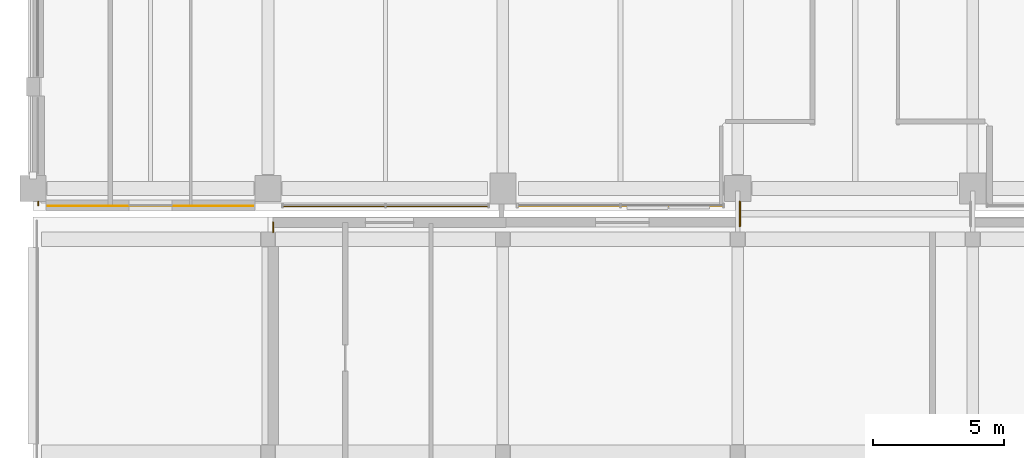
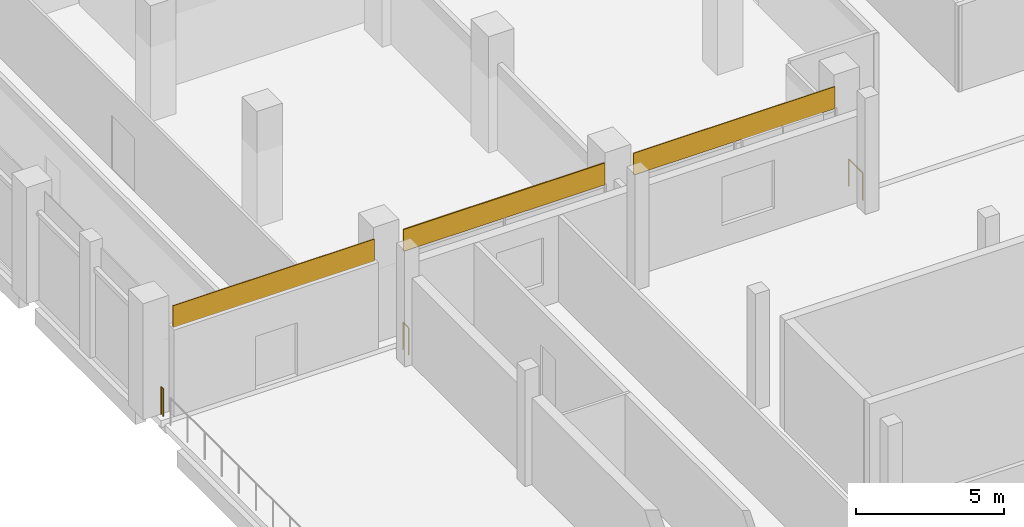
# One storey, part 90 of 111: 3 coverings, 3 railings.
"""IFC4 building model written with IfcOpenShell, lengths in metres."""

import ifcopenshell
import ifcopenshell.guid

model = None  # the IFC model being written
_history = None  # IfcOwnerHistory: only IFC2X3 demands one
_inside = {}  # id of a spatial element -> (the spatial element, [elements in it])
_under = {}  # id of a project, library or spatial element -> (it, [spatial elements below it])
_declared = {}  # id of a project -> (the project, [libraries it declares])
_typed = {}  # id of a type object -> (the type object, [elements of that type])
_made_of = {}  # id of a material, layer set ... -> (it, [elements and type objects made of it])


def new_model(schema):
    """Start an empty IFC model of exactly this schema.

    Asked for "IFC4X3", IfcOpenShell would pick the latest addendum, in which some entities
    have other attributes; the version numbers below select the first issue.
    IFC2X3 requires an IfcOwnerHistory on every rooted entity: one is made here for all.
    """
    global model, _history
    if schema == "IFC4X3":
        model = ifcopenshell.file(schema_version=(4, 3, 0, 0))
    else:
        model = ifcopenshell.file(schema=schema)
    _inside.clear()
    _under.clear()
    _declared.clear()
    _typed.clear()
    _made_of.clear()
    _history = None
    if model.schema == "IFC2X3":
        org = make("IfcOrganization", Name="unknown")
        user = make(
            "IfcPersonAndOrganization",
            ThePerson=make("IfcPerson", FamilyName="unknown"),
            TheOrganization=org,
        )
        app = make(
            "IfcApplication",
            ApplicationDeveloper=org,
            Version="unknown",
            ApplicationFullName="unknown",
            ApplicationIdentifier="unknown",
        )
        _history = make(
            "IfcOwnerHistory",
            OwningUser=user,
            OwningApplication=app,
            ChangeAction="ADDED",
            CreationDate=0,
        )
    return model


def make(cls, **values):
    """One entity of the class cls with the attributes given. An attribute that is None is left unset."""
    return model.create_entity(
        cls, **{name: value for name, value in values.items() if value is not None}
    )


def rooted(cls, **values):
    """An entity with a GlobalId (a new one), such as an element, a storey or a relation."""
    return make(cls, GlobalId=ifcopenshell.guid.new(), OwnerHistory=_history, **values)


def si_unit(unit_type, name, prefix=None):
    """IfcSIUnit, for example si_unit("LENGTHUNIT", "METRE", prefix="MILLI")."""
    return make("IfcSIUnit", UnitType=unit_type, Prefix=prefix, Name=name)


def assignment(units):
    """IfcUnitAssignment: the units of a project."""
    return None if units is None else make("IfcUnitAssignment", Units=units)


def point(xyz):
    """IfcCartesianPoint."""
    return None if xyz is None else make("IfcCartesianPoint", Coordinates=xyz)


def direction(xyz):
    """IfcDirection."""
    return None if xyz is None else make("IfcDirection", DirectionRatios=xyz)


def frame(location, z_axis=None, x_axis=None):
    """IfcAxis2Placement3D, a coordinate frame: its origin and axes. An axis left out is left unset."""
    return make(
        "IfcAxis2Placement3D",
        Location=point(location),
        Axis=direction(z_axis),
        RefDirection=direction(x_axis),
    )


def frame_2d(location, x_axis=None):
    """IfcAxis2Placement2D, a coordinate frame in the plane: its origin and x axis."""
    return make(
        "IfcAxis2Placement2D", Location=point(location), RefDirection=direction(x_axis)
    )


def origin():
    """The frame at (0, 0, 0) with its axes left unset."""
    return frame((0.0, 0.0, 0.0))


def origin_2d():
    """The frame at (0, 0) in the plane with its x axis left unset."""
    return frame_2d((0.0, 0.0))


def place(relative_to, where):
    """IfcLocalPlacement: puts the frame where relative to a parent placement (None: the world)."""
    return make(
        "IfcLocalPlacement", PlacementRelTo=relative_to, RelativePlacement=where
    )


def context(
    kind, dimensions, precision=None, world=None, true_north=None, identifier=None
):
    """IfcGeometricRepresentationContext, for example the 3D "Model" context."""
    return make(
        "IfcGeometricRepresentationContext",
        ContextIdentifier=identifier,
        ContextType=kind,
        CoordinateSpaceDimension=dimensions,
        Precision=precision,
        WorldCoordinateSystem=world,
        TrueNorth=true_north,
    )


def subcontext(parent, identifier, kind, view, scale=None):
    """IfcGeometricRepresentationSubContext, for example "Body" below "Model"."""
    return make(
        "IfcGeometricRepresentationSubContext",
        ContextIdentifier=identifier,
        ContextType=kind,
        ParentContext=parent,
        TargetScale=scale,
        TargetView=view,
    )


def project(units=None, contexts=None):
    """IfcProject with its units and contexts."""
    return rooted(
        "IfcProject",
        Name="project",
        RepresentationContexts=contexts,
        UnitsInContext=assignment(units),
    )


def spatial(cls, under=None, at=None, **own):
    """A site, building, storey or space (cls), placed at a placement, below another one or the project."""
    s = rooted(cls, ObjectPlacement=at, **own)
    if under is not None:
        _under.setdefault(under.id(), (under, []))[1].append(s)
    return s


def profile(cls, at=None, kind="AREA", **sizes):
    """A parametric profile (cls). Its sizes go by their IFC names, for example OverallWidth=200.0."""
    return make(cls, ProfileType=kind, Position=at, **sizes)


def rectangle(**sizes):
    """IfcRectangleProfileDef."""
    return profile("IfcRectangleProfileDef", **sizes)


def circle(**sizes):
    """IfcCircleProfileDef."""
    return profile("IfcCircleProfileDef", **sizes)


def extrude(swept, where, along, depth):
    """IfcExtrudedAreaSolid: the profile swept, set in the frame where, extruded along a direction by depth."""
    return make(
        "IfcExtrudedAreaSolid",
        SweptArea=swept,
        Position=where,
        ExtrudedDirection=direction(along),
        Depth=depth,
    )


def shape(context_of_items, identifier, shape_type, items):
    """IfcShapeRepresentation: the items that make up one representation, for example the "Body"."""
    return make(
        "IfcShapeRepresentation",
        ContextOfItems=context_of_items,
        RepresentationIdentifier=identifier,
        RepresentationType=shape_type,
        Items=items,
    )


def material(Name=None, Category=None):
    """IfcMaterial."""
    return make("IfcMaterial", Name=Name, Category=Category)


def layer(
    of_material, thickness, ventilated=None, Name=None, Category=None, Priority=None
):
    """IfcMaterialLayer: one layer of a wall or slab, of a material (None: an air gap)."""
    return make(
        "IfcMaterialLayer",
        Material=of_material,
        LayerThickness=thickness,
        IsVentilated=ventilated,
        Name=Name,
        Category=Category,
        Priority=Priority,
    )


def layer_set(layers, Name=None):
    """IfcMaterialLayerSet."""
    return make("IfcMaterialLayerSet", MaterialLayers=layers, LayerSetName=Name)


def made_of(thing, what):
    """Note that an element or type object is made of a material, layer set ...; save() writes the relation."""
    if what is not None:
        _made_of.setdefault(what.id(), (what, []))[1].append(thing)
    return thing


def type_object(cls, material=None, **own):
    """A type object (cls), such as IfcWallType, which elements share."""
    return made_of(rooted(cls, **own), material)


def element(
    cls,
    number,
    at=None,
    inside=None,
    cuts=None,
    type_object=None,
    material=None,
    context=None,
    identifier="Body",
    shape_type=None,
    held_by="IfcProductDefinitionShape",
    body=None,
    shapes=None,
    **own,
):
    """One element of the class cls, such as IfcWall. Its Tag is "e" and its number.

    at: its placement. inside: the storey or other place that contains it. cuts: it is an
    opening in that element (IfcRelVoidsElement). A single representation is given by context,
    identifier, shape_type and body (its items); several are given by shapes. held_by: the class
    of the entity that holds the representations. save() writes the other relations.
    """
    e = rooted(cls, Tag="e%d" % number, ObjectPlacement=at, **own)
    if body is not None:
        shapes = [shape(context, identifier, shape_type, body)]
    if shapes is not None:
        e.Representation = make(held_by, Representations=shapes)
    if inside is not None:
        _inside.setdefault(inside.id(), (inside, []))[1].append(e)
    if cuts is not None:
        rooted(
            "IfcRelVoidsElement", RelatingBuildingElement=cuts, RelatedOpeningElement=e
        )
    if type_object is not None:
        _typed.setdefault(type_object.id(), (type_object, []))[1].append(e)
    return made_of(e, material)


def aggregate(whole, parts):
    """IfcRelAggregates: a whole, such as a stair, and the parts it consists of."""
    return rooted("IfcRelAggregates", RelatingObject=whole, RelatedObjects=parts)


def save(model, path):
    """Write the relations noted so far, then the file.

    IfcRelAggregates (storeys below a building ...), IfcRelContainedInSpatialStructure (elements
    in a storey), IfcRelDefinesByType, IfcRelAssociatesMaterial and IfcRelDeclares: one each for
    every whole, place, type object, material and project.
    """
    for whole, parts in _under.values():
        aggregate(whole, parts)
    for where, things in _inside.values():
        rooted(
            "IfcRelContainedInSpatialStructure",
            RelatedElements=things,
            RelatingStructure=where,
        )
    for kind, things in _typed.values():
        rooted("IfcRelDefinesByType", RelatedObjects=things, RelatingType=kind)
    for what, things in _made_of.values():
        rooted("IfcRelAssociatesMaterial", RelatedObjects=things, RelatingMaterial=what)
    for by, libraries in _declared.values():
        rooted("IfcRelDeclares", RelatingContext=by, RelatedDefinitions=libraries)
    model.write(path)


model = new_model("IFC4")

# Units and contexts
model_context = context("Model", 3, precision=1e-05, world=origin(), true_north=direction((0.0, 1.0)))
body_context = subcontext(model_context, "Body", "Model", "MODEL_VIEW")
ifc_project = project(units=[si_unit("LENGTHUNIT", "METRE"), si_unit("AREAUNIT", "SQUARE_METRE"), si_unit("VOLUMEUNIT", "CUBIC_METRE"), si_unit("PLANEANGLEUNIT", "RADIAN"), si_unit("MASSUNIT", "GRAM", prefix="KILO"), si_unit("THERMODYNAMICTEMPERATUREUNIT", "KELVIN"), si_unit("POWERUNIT", "WATT")], contexts=[model_context])

# Site, building, storey
site_placement = place(None, origin())
site = spatial("IfcSite", under=ifc_project, at=site_placement, CompositionType="ELEMENT")
building_placement = place(site_placement, origin())
building = spatial("IfcBuilding", under=site, at=building_placement, Name="Sindhuravela Promenade Stadium", CompositionType="ELEMENT")
storey_placement = place(building_placement, frame((0.0, 0.0, 9.60009765625)))
storey = spatial("IfcBuildingStorey", under=building, at=storey_placement, Name="L02", CompositionType="ELEMENT", Elevation=9.60009765625)

# Coverings
ifc_material_1 = material(Name="Polychrome trencadis ceramic mosaic", Category="masonry")
ifc_layer_1 = layer(ifc_material_1, 0.034912109375)
ifc_layer_set_1 = layer_set([ifc_layer_1], Name="Polychrome trencadis ceramic mosaic")
covering_type_1 = type_object("IfcCoveringType", Name="CV-TRENC-1", PredefinedType="CLADDING", material=ifc_layer_set_1)
for number, where, z_axis, x_axis, name in (
    (1, (22.5, 36.429931640625, 3.5546875), (0.0, 0.0, 1.0), (-1.0, 0.0, 0.0), "Trencadis ceramic mosaic spandrel frieze WEST L02-60"),
    (2, (4.5, 36.429931640625, 3.5546875), (0.0, 0.0, 1.0), (-1.0, 0.0, 0.0), "Trencadis ceramic mosaic spandrel frieze WEST L02-62"),
):
    element("IfcCovering", number, at=place(storey_placement, frame(where, z_axis=z_axis, x_axis=x_axis)), inside=storey, type_object=covering_type_1, Name=name, PredefinedType="CLADDING", context=body_context, shape_type="SweptSolid", body=[
        extrude(rectangle(XDim=7.8701171875, YDim=0.034912109375, at=origin_2d()), origin(), (0.0, 0.0, 1.0), 0.905029296875),
    ])
ifc_layer_2 = layer(ifc_material_1, 0.050048828125)
ifc_layer_set_2 = layer_set([ifc_layer_2], Name="Polychrome trencadis ceramic mosaic")
covering_type_2 = type_object("IfcCoveringType", Name="CV-TRENC-2", PredefinedType="CLADDING", material=ifc_layer_set_2)
covering_placement = place(storey_placement, frame((13.5, 36.429931640625, 3.5546875), z_axis=(0.0, 0.0, 1.0), x_axis=(-1.0, 0.0, 0.0)))
element("IfcCovering", 3, at=covering_placement, inside=storey, type_object=covering_type_2, Name="Trencadis ceramic mosaic spandrel frieze WEST L02-61", PredefinedType="CLADDING", context=body_context, shape_type="SweptSolid", body=[
    extrude(rectangle(XDim=7.8701171875, YDim=0.050048828125, at=origin_2d()), origin(), (0.0, 0.0, 1.0), 0.905029296875),
])

# Railings
ifc_material_2 = material(Name="Architectural wrought steel E350", Category="steel")
railing_type = type_object("IfcRailingType", Name="RL-GRD-1150", PredefinedType="GUARDRAIL", material=ifc_material_2)
railing_1_placement = place(storey_placement, frame((0.199951171875, 36.449951171875, 0.0)))
element("IfcRailing", 4, at=railing_1_placement, inside=storey, type_object=railing_type, Name="Perimeter edge return guard WEST L02", PredefinedType="GUARDRAIL", context=body_context, shape_type="SweptSolid", body=[
    extrude(circle(Radius=0.02392578125, at=origin_2d()), frame((0.0, 0.0, 1.1259765625), z_axis=(0.0, 1.0, 0.0), x_axis=(-1.0, 0.0, 0.0)), (0.0, 0.0, 1.0), 0.14501953125),
    extrude(circle(Radius=0.02099609375, at=origin_2d()), origin(), (0.0, 0.0, 1.0), 1.101806640625),
    extrude(circle(Radius=0.02099609375, at=origin_2d()), frame((0.0, 0.14501953125, 0.0)), (0.0, 0.0, 1.0), 1.101806640625),
])
railing_2_placement = place(storey_placement, frame((9.199951171875, 35.429931640625, 0.0)))
element("IfcRailing", 5, at=railing_2_placement, inside=storey, type_object=railing_type, Name="Perimeter edge return guard Pavilion SW L02", PredefinedType="GUARDRAIL", context=body_context, shape_type="SweptSolid", body=[
    extrude(circle(Radius=0.02392578125, at=origin_2d()), frame((0.0, 0.0, 1.1259765625), z_axis=(0.0, 1.0, 0.0), x_axis=(-1.0, 0.0, 0.0)), (0.0, 0.0, 1.0), 0.3701171875),
    extrude(circle(Radius=0.02099609375, at=origin_2d()), origin(), (0.0, 0.0, 1.0), 1.101806640625),
    extrude(circle(Radius=0.02099609375, at=origin_2d()), frame((0.0, 0.3701171875, 0.0)), (0.0, 0.0, 1.0), 1.101806640625),
])
railing_3_placement = place(storey_placement, frame((27.080078125, 35.64990234375, 0.0)))
element("IfcRailing", 6, at=railing_3_placement, inside=storey, type_object=railing_type, Name="Bridge edge guardrail GR01-73", PredefinedType="GUARDRAIL", context=body_context, shape_type="SweptSolid", body=[
    extrude(circle(Radius=0.02392578125, at=origin_2d()), frame((0.0, 0.0, 1.1259765625), z_axis=(0.0, 1.0, 0.0), x_axis=(-1.0, 0.0, 0.0)), (0.0, 0.0, 1.0), 0.9501953125),
    extrude(circle(Radius=0.02099609375, at=origin_2d()), origin(), (0.0, 0.0, 1.0), 1.101806640625),
    extrude(circle(Radius=0.02099609375, at=origin_2d()), frame((0.0, 0.9501953125, 0.0)), (0.0, 0.0, 1.0), 1.101806640625),
])

save(model, "model.ifc")
